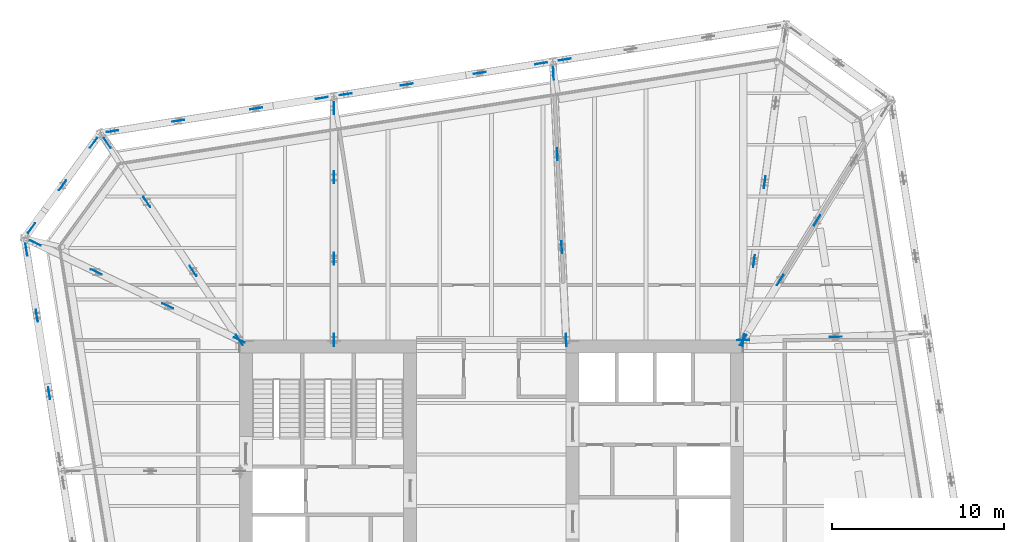
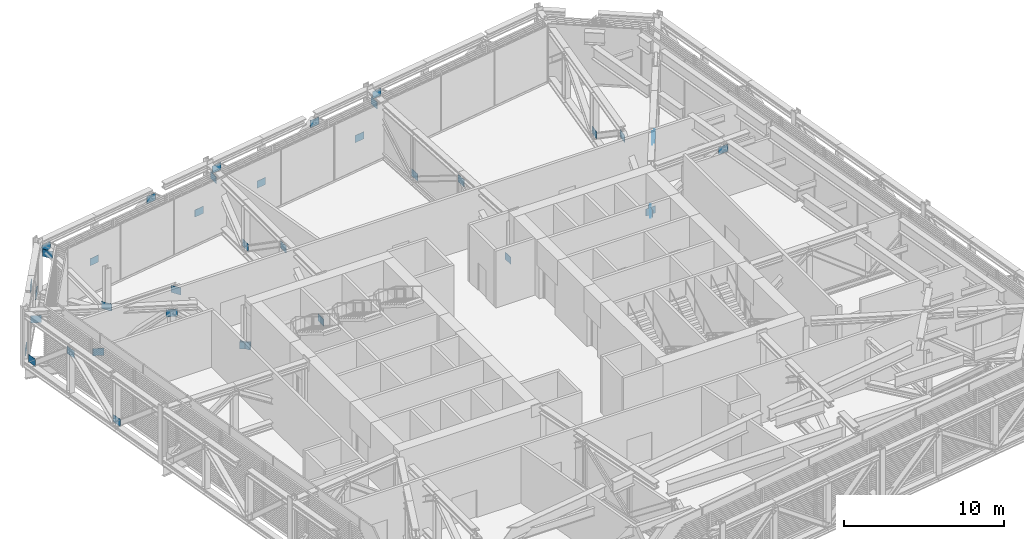
# One storey, part 29 of 31: 39 discrete accessories.
"""IFC4 building model written with IfcOpenShell, lengths in metres."""

from ifc_helpers import new_model, si_unit, direction, frame, origin, origin_2d, place, context, subcontext, project, spatial, rectangle, extrude, material, layer, layer_set, type_object, element, save


model = new_model("IFC4")

# Units and contexts
model_context = context("Model", 3, precision=1e-05, world=origin(), true_north=direction((0.0, 1.0)))
body_context = subcontext(model_context, "Body", "Model", "MODEL_VIEW")
ifc_project = project(units=[si_unit("LENGTHUNIT", "METRE"), si_unit("AREAUNIT", "SQUARE_METRE"), si_unit("VOLUMEUNIT", "CUBIC_METRE"), si_unit("PLANEANGLEUNIT", "RADIAN"), si_unit("MASSUNIT", "GRAM", prefix="KILO")], contexts=[model_context])

# Site, building, storey
site_placement = place(None, origin())
site = spatial("IfcSite", under=ifc_project, at=site_placement, CompositionType="ELEMENT")
building_placement = place(site_placement, origin())
building = spatial("IfcBuilding", under=site, at=building_placement, Name="Millrace Tower", CompositionType="ELEMENT")
storey_placement = place(building_placement, frame((0.0, 0.0, 195.60009765625)))
storey = spatial("IfcBuildingStorey", under=building, at=storey_placement, Name="L44", CompositionType="ELEMENT", Elevation=195.60009765625)

# Discrete accessories
ifc_material = material(Name="Steel ASTM A572 Grade 50", Category="steel")
ifc_layer = layer(ifc_material, 0.02490234375)
ifc_layer_set = layer_set([ifc_layer], Name="Steel ASTM A572 Grade 50")
discrete_accessory_type = type_object("IfcDiscreteAccessoryType", Name="Truss gusset plate 700x550x25", PredefinedType="BRACKET", material=ifc_layer_set)
for number, where, z_axis, x_axis, name in (
    (1, (3.92724609375, 25.89990234375, 3.482421875), (0.987717677878, 0.156249124184, 0.0), (-0.156249124184, 0.987717677878, 0.0), "Truss gusset plate BLT-L44-R10-D03 head"),
    (2, (2.54443359375, 25.680908203125, 0.757568359375), (0.987717677878, 0.156249124184, 0.0), (-0.156249124184, 0.987717677878, 0.0), "Truss gusset plate BLT-L44-R11-D01 foot"),
    (3, (-1.01123046875, 25.11767578125, 3.482421875), (0.987717677878, 0.156249124184, 0.0), (-0.156249124184, 0.987717677878, 0.0), "Truss gusset plate BLT-L44-R11-D01 head"),
    (4, (-5.25830078125, 24.445068359375, 0.757568359375), (0.987717677878, 0.156249124184, 0.0), (-0.156249124184, 0.987717677878, 0.0), "Truss gusset plate BLT-L44-R11-D02 foot"),
    (5, (-8.81396484375, 23.8818359375, 3.482421875), (0.987717677878, 0.156249124184, 0.0), (-0.156249124184, 0.987717677878, 0.0), "Truss gusset plate BLT-L44-R11-D03 head"),
    (6, (-10.19677734375, 23.662841796875, 0.757568359375), (0.987717677878, 0.156249124184, 0.0), (-0.156249124184, 0.987717677878, 0.0), "Truss gusset plate BLT-L44-R12-D01 foot"),
    (7, (-14.025146484375, 23.056396484375, 3.482421875), (0.987663796475, 0.156589351913, 0.0), (-0.156589351913, 0.987663796475, 0.0), "Truss gusset plate BLT-L44-R12-D01 head"),
    (8, (-18.544921875, 22.340576171875, 0.757568359375), (0.987663796475, 0.156589351913, 0.0), (-0.156589351913, 0.987663796475, 0.0), "Truss gusset plate BLT-L44-R12-D02 foot"),
    (9, (-22.373291015625, 21.734130859375, 3.482421875), (0.987663796475, 0.156589351913, 0.0), (-0.156589351913, 0.987663796475, 0.0), "Truss gusset plate BLT-L44-R12-D03 head"),
    (10, (-23.336181640625, 20.830078125, 0.757568359375), (0.587819016355, 0.808992462271, 0.0), (-0.808992462271, 0.587819016355, 0.0), "Truss gusset plate BLT-L44-R13-D01 foot"),
    (11, (-25.13671875, 18.35205078125, 3.482421875), (0.588047260207, 0.808826569644, 0.0), (-0.808826569644, 0.588047260207, 0.0), "Truss gusset plate BLT-L44-R13-D01 head"),
):
    element("IfcDiscreteAccessory", number, at=place(storey_placement, frame(where, z_axis=z_axis, x_axis=x_axis)), inside=storey, type_object=discrete_accessory_type, Name=name, PredefinedType="BRACKET", context=body_context, shape_type="SweptSolid", body=[
        extrude(rectangle(XDim=0.02490234375, YDim=0.550048828125, at=origin_2d()), origin(), (0.0, 0.0, 1.0), 0.699951171875),
    ])
discrete_accessory_1_placement = place(storey_placement, frame((-26.93701171875, 15.8740234375, 0.757568359375), z_axis=(0.587881403835, 0.80894712746, 0.0), x_axis=(-0.80894712746, 0.587881403835, 0.0)))
element("IfcDiscreteAccessory", 12, at=discrete_accessory_1_placement, inside=storey, type_object=discrete_accessory_type, Name="Truss gusset plate BLT-L44-R13-D02 foot", PredefinedType="BRACKET", context=body_context, shape_type="SweptSolid", body=[
    extrude(rectangle(XDim=0.02490234375, YDim=0.550048828125, at=origin_2d()), origin(), (0.0, 0.0, 1.0), 0.7001953125),
])
for number, where, z_axis, x_axis, name in (
    (13, (-27.087890625, 15.2451171875, 0.757568359375), (0.156249124184, -0.987717677878, 0.0), (0.987717677878, 0.156249124184, 0.0), "Truss gusset plate BLT-L44-R14-D01 foot"),
    (14, (-26.4814453125, 11.416748046875, 3.482421875), (0.156249124184, -0.987717677878, 0.0), (0.987717677878, 0.156249124184, 0.0), "Truss gusset plate BLT-L44-R14-D01 head"),
    (15, (-25.765625, 6.89697265625, 0.757568359375), (0.156249124184, -0.987717677878, 0.0), (0.987717677878, 0.156249124184, 0.0), "Truss gusset plate BLT-L44-R14-D02 foot"),
    (16, (14.30029296875, 9.63818359375, 0.757568359375), (0.999439084173, 0.033489058318, 0.0), (-0.033489058318, 0.999439084173, 0.0), "Truss gusset plate BLT-L44-O08-D01 foot"),
    (17, (19.663818359375, 9.818115234375, 3.482421875), (0.999439084173, 0.033489058318, 0.0), (-0.033489058318, 0.999439084173, 0.0), "Truss gusset plate BLT-L44-O08-D01 head"),
    (18, (14.46630859375, 9.35205078125, 0.757568359375), (0.524564382083, 0.851370782356, 0.0), (-0.851370782356, 0.524564382083, 0.0), "Truss gusset plate BLT-L44-O09-D01 foot"),
):
    element("IfcDiscreteAccessory", number, at=place(storey_placement, frame(where, z_axis=z_axis, x_axis=x_axis)), inside=storey, type_object=discrete_accessory_type, Name=name, PredefinedType="BRACKET", context=body_context, shape_type="SweptSolid", body=[
        extrude(rectangle(XDim=0.02490234375, YDim=0.550048828125, at=origin_2d()), origin(), (0.0, 0.0, 1.0), 0.699951171875),
    ])
discrete_accessory_2_placement = place(storey_placement, frame((16.611083984375, 12.831787109375, 3.482421875), z_axis=(0.524817119332, 0.851215008829, 0.0), x_axis=(-0.851215008829, 0.524817119332, 0.0)))
element("IfcDiscreteAccessory", 19, at=discrete_accessory_2_placement, inside=storey, type_object=discrete_accessory_type, Name="Truss gusset plate BLT-L44-O09-D01 head", PredefinedType="BRACKET", context=body_context, shape_type="SweptSolid", body=[
    extrude(rectangle(XDim=0.02490234375, YDim=0.550048828125, at=origin_2d()), origin(), (0.0, 0.0, 1.0), 0.7001953125),
])
for number, where, z_axis, x_axis, name in (
    (20, (18.756103515625, 16.3115234375, 0.757568359375), (0.524564382083, 0.851370782356, 0.0), (-0.851370782356, 0.524564382083, 0.0), "Truss gusset plate BLT-L44-O09-D02 foot"),
    (21, (14.602783203125, 9.30322265625, 0.757568359375), (0.134630692145, 0.990895845552, 0.0), (-0.990895845552, 0.134630692145, 0.0), "Truss gusset plate BLT-L44-O10-D01 foot"),
    (22, (15.2255859375, 13.888916015625, 3.482421875), (0.134630692145, 0.990895845552, 0.0), (-0.990895845552, 0.134630692145, 0.0), "Truss gusset plate BLT-L44-O10-D01 head"),
    (23, (15.848388671875, 18.474609375, 0.757568359375), (0.134630692145, 0.990895845552, 0.0), (-0.990895845552, 0.134630692145, 0.0), "Truss gusset plate BLT-L44-O10-D02 foot"),
    (24, (4.33349609375, 9.99951171875, 0.757568359375), (0.04743258521, -0.998874441489, 0.0), (0.998874441489, 0.04743258521, 0.0), "Truss gusset plate BLT-L44-O11-D01 foot"),
    (25, (4.0771484375, 15.39794921875, 3.482421875), (0.04743258521, -0.998874441489, 0.0), (0.998874441489, 0.04743258521, 0.0), "Truss gusset plate BLT-L44-O11-D01 head"),
    (26, (3.821044921875, 20.79638671875, 0.757568359375), (0.04743258521, -0.998874441489, 0.0), (0.998874441489, 0.04743258521, 0.0), "Truss gusset plate BLT-L44-O11-D02 foot"),
    (27, (3.59814453125, 25.495361328125, 3.482421875), (0.04743258521, -0.998874441489, 0.0), (0.998874441489, 0.04743258521, 0.0), "Truss gusset plate BLT-L44-O11-D03 head"),
    (28, (-9.15966796875, 9.300048828125, 0.757568359375), (0.0, 1.0, 0.0), (-1.0, 0.0, 0.0), "Truss gusset plate BLT-L44-O12-D01 foot"),
    (29, (-9.15966796875, 14.025634765625, 3.482421875), (0.0, 1.0, 0.0), (-1.0, 0.0, 0.0), "Truss gusset plate BLT-L44-O12-D01 head"),
    (30, (-9.15966796875, 18.75146484375, 0.757568359375), (0.0, 1.0, 0.0), (-1.0, 0.0, 0.0), "Truss gusset plate BLT-L44-O12-D02 foot"),
    (31, (-9.15966796875, 22.777099609375, 3.482421875), (0.0, 1.0, 0.0), (-1.0, 0.0, 0.0), "Truss gusset plate BLT-L44-O12-D03 head"),
    (32, (-14.844970703125, 9.940673828125, 0.757568359375), (0.557032284742, -0.830490839055, 0.0), (0.830490839055, 0.557032284742, 0.0), "Truss gusset plate BLT-L44-O13-D01 foot"),
    (33, (-17.53466796875, 13.950439453125, 3.482421875), (0.557032284742, -0.830490839055, 0.0), (0.830490839055, 0.557032284742, 0.0), "Truss gusset plate BLT-L44-O13-D01 head"),
    (34, (-20.224365234375, 17.960205078125, 0.757568359375), (0.557032284742, -0.830490839055, 0.0), (0.830490839055, 0.557032284742, 0.0), "Truss gusset plate BLT-L44-O13-D02 foot"),
    (35, (-22.524169921875, 21.388916015625, 3.482421875), (0.557032284742, -0.830490839055, 0.0), (0.830490839055, 0.557032284742, 0.0), "Truss gusset plate BLT-L44-O13-D03 head"),
    (36, (-14.966064453125, 9.80029296875, 0.757568359375), (0.903111828971, -0.429405431233, 0.0), (0.429405431233, 0.903111828971, 0.0), "Truss gusset plate BLT-L44-O14-D01 foot"),
):
    element("IfcDiscreteAccessory", number, at=place(storey_placement, frame(where, z_axis=z_axis, x_axis=x_axis)), inside=storey, type_object=discrete_accessory_type, Name=name, PredefinedType="BRACKET", context=body_context, shape_type="SweptSolid", body=[
        extrude(rectangle(XDim=0.02490234375, YDim=0.550048828125, at=origin_2d()), origin(), (0.0, 0.0, 1.0), 0.699951171875),
    ])
discrete_accessory_3_placement = place(storey_placement, frame((-19.13037109375, 11.780517578125, 3.482421875), z_axis=(0.903176118369, -0.429270193711, 0.0), x_axis=(0.429270193711, 0.903176118369, 0.0)))
element("IfcDiscreteAccessory", 37, at=discrete_accessory_3_placement, inside=storey, type_object=discrete_accessory_type, Name="Truss gusset plate BLT-L44-O14-D01 head", PredefinedType="BRACKET", context=body_context, shape_type="SweptSolid", body=[
    extrude(rectangle(XDim=0.02490234375, YDim=0.550048828125, at=origin_2d()), origin(), (0.0, 0.0, 1.0), 0.7001953125),
])
discrete_accessory_4_placement = place(storey_placement, frame((-23.29443359375, 13.760986328125, 0.757568359375), z_axis=(0.902976529125, -0.429689874037, 0.0), x_axis=(0.429689874037, 0.902976529125, 0.0)))
element("IfcDiscreteAccessory", 38, at=discrete_accessory_4_placement, inside=storey, type_object=discrete_accessory_type, Name="Truss gusset plate BLT-L44-O14-D02 foot", PredefinedType="BRACKET", context=body_context, shape_type="SweptSolid", body=[
    extrude(rectangle(XDim=0.02490234375, YDim=0.550048828125, at=origin_2d()), origin(), (0.0, 0.0, 1.0), 0.699951171875),
])
discrete_accessory_5_placement = place(storey_placement, frame((-26.82666015625, 15.440673828125, 3.482421875), z_axis=(0.903040894087, -0.429554587458, 0.0), x_axis=(0.429554587458, 0.903040894087, 0.0)))
element("IfcDiscreteAccessory", 39, at=discrete_accessory_5_placement, inside=storey, type_object=discrete_accessory_type, Name="Truss gusset plate BLT-L44-O14-D03 head", PredefinedType="BRACKET", context=body_context, shape_type="SweptSolid", body=[
    extrude(rectangle(XDim=0.02490234375, YDim=0.550048828125, at=origin_2d()), origin(), (0.0, 0.0, 1.0), 0.7001953125),
])

save(model, "model.ifc")
